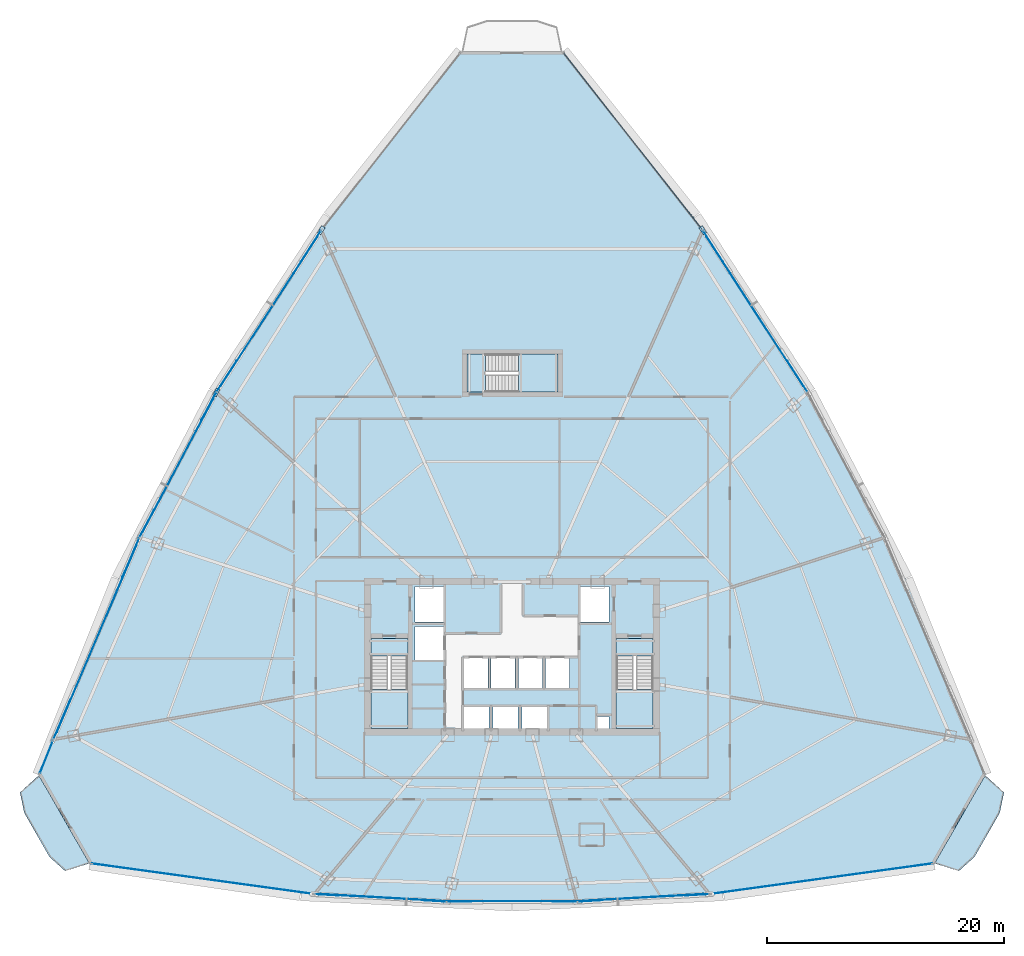
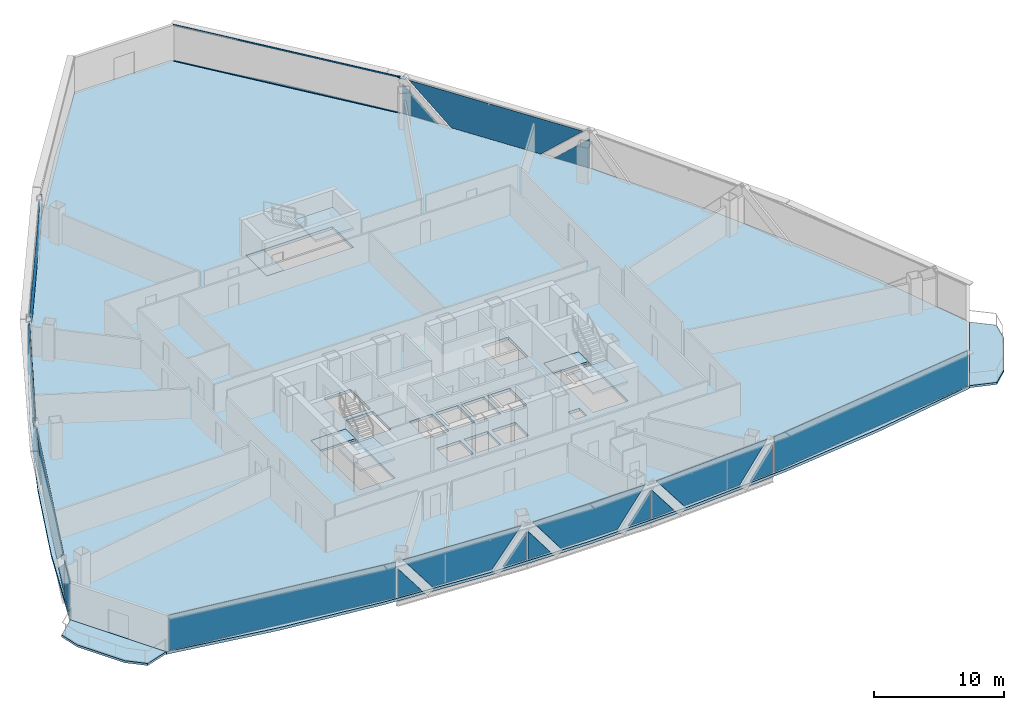
# One storey, part 30 of 39: 27 plates, 9 slabs, 2 members, 14 elements without a shape of their own.
"""IFC4 building model written with IfcOpenShell, lengths in metres."""

from ifc_helpers import new_model, si_unit, direction, frame, origin, origin_2d, place, context, subcontext, project, spatial, polyline, rectangle, hollow_rectangle, outline, extrude, source, transform, mapped, material, layer, layer_set, material_profile, profile_set, type_object, element, aggregate, save


model = new_model("IFC4")

# Units and contexts
model_context = context("Model", 3, precision=1e-05, world=origin(), true_north=direction((0.0, 1.0)))
body_context = subcontext(model_context, "Body", "Model", "MODEL_VIEW")
ifc_project = project(units=[si_unit("LENGTHUNIT", "METRE"), si_unit("AREAUNIT", "SQUARE_METRE"), si_unit("VOLUMEUNIT", "CUBIC_METRE"), si_unit("PLANEANGLEUNIT", "RADIAN"), si_unit("MASSUNIT", "GRAM", prefix="KILO"), si_unit("THERMODYNAMICTEMPERATUREUNIT", "KELVIN"), si_unit("POWERUNIT", "WATT")], contexts=[model_context])

# Site, building, storey
site_placement = place(None, origin())
site = spatial("IfcSite", under=ifc_project, at=site_placement, CompositionType="ELEMENT")
building_placement = place(site_placement, origin())
building = spatial("IfcBuilding", under=site, at=building_placement, Name="Yunzhuo Pagoda Commons", CompositionType="ELEMENT")
storey_placement = place(building_placement, frame((0.0, 0.0, 140.8701171875)))
storey = spatial("IfcBuildingStorey", under=building, at=storey_placement, Name="L35", CompositionType="ELEMENT", Elevation=140.8701171875)

# Curtain wall, members
ifc_material_1 = material(Name="Anodized aluminium 6063-T6", Category="aluminium")
ifc_layer_1 = layer(ifc_material_1, 0.14990234375)
ifc_layer_set_1 = layer_set([ifc_layer_1], Name="Anodized aluminium 6063-T6")
curtain_wall_type = type_object("IfcCurtainWallType", Name="CW-MID Mid-Zone Ribbon Curtain Wall", PredefinedType="NOTDEFINED", material=ifc_layer_set_1)
curtain_wall_1_placement = place(storey_placement, origin())
curtain_wall_1 = element("IfcCurtainWall", 1, at=curtain_wall_1_placement, inside=storey, type_object=curtain_wall_type, Name="L35 curtain wall CW-L35-F2B5", PredefinedType="NOTDEFINED")
ifc_material_profile = material_profile(ifc_material_1, hollow_rectangle(XDim=0.054931640625, YDim=0.1298828125, WallThickness=0.00341796875, at=origin_2d()), Name="Anodized aluminium 6063-T6")
ifc_profile_set = profile_set([ifc_material_profile], Name="Anodized aluminium 6063-T6")
member_type = type_object("IfcMemberType", Name="CW-MID-T Transom RHS 130x55x3.5", PredefinedType="USERDEFINED", material=ifc_profile_set)
shared_shape_1 = source(origin(), body_context, "Body", "SweptSolid", [
    extrude(hollow_rectangle(XDim=0.054931640625, YDim=0.1298828125, WallThickness=0.00341796875, at=origin_2d()), origin(), (0.0, 0.0, 1.0), 18.82861328125),
])
member_1_placement = place(storey_placement, frame((64.017578125, 69.96923828125, 0.02734375), z_axis=(-0.617384524017, 0.786661521561, 0.0), x_axis=(-0.786661521561, -0.617384524017, 0.0)))
member_1 = element("IfcMember", 2, at=member_1_placement, type_object=member_type, Name="CW transom 1.1", ObjectType="TRANSOM", PredefinedType="USERDEFINED", context=body_context, shape_type="MappedRepresentation", body=[
    mapped(shared_shape_1, transform((0.0, 0.0, 0.0), scale=1.0)),
])
member_2_placement = place(storey_placement, frame((64.017578125, 69.96923828125, 3.392333984375), z_axis=(-0.617384524017, 0.786661521561, 0.0), x_axis=(-0.786661521561, -0.617384524017, 0.0)))
member_2 = element("IfcMember", 3, at=member_2_placement, type_object=member_type, Name="CW transom 1.2", ObjectType="TRANSOM", PredefinedType="USERDEFINED", context=body_context, shape_type="MappedRepresentation", body=[
    mapped(shared_shape_1, transform((0.0, 0.0, 0.0), scale=1.0)),
])
aggregate(curtain_wall_1, [member_1, member_2])

# Curtain wall, plates
curtain_wall_2_placement = place(storey_placement, origin())
curtain_wall_2 = element("IfcCurtainWall", 4, at=curtain_wall_2_placement, inside=storey, type_object=curtain_wall_type, Name="L35 curtain wall CW-L35-F1B2", PredefinedType="NOTDEFINED")
ifc_material_2 = material(Name="Tempered low-e double glazing", Category="glass")
ifc_layer_2 = layer(ifc_material_2, 0.028076171875)
ifc_layer_set_2 = layer_set([ifc_layer_2], Name="Tempered low-e double glazing")
plate_type_1 = type_object("IfcPlateType", Name="CW-MID-P Low-E Double Glazing 28", PredefinedType="CURTAIN_PANEL", material=ifc_layer_set_2)
plate_1_placement = place(storey_placement, frame((32.385498046875, 13.76806640625, 1.38427734375), z_axis=(-0.056597401536, -0.998397082397, 0.0), x_axis=(0.998397082397, -0.056597401536, 0.0)))
plate_1 = element("IfcPlate", 5, at=plate_1_placement, type_object=plate_type_1, Name="CW panel 1.1 lite 1", PredefinedType="CURTAIN_PANEL", context=body_context, shape_type="SweptSolid", body=[
    extrude(outline(polyline([(-1.011962890625, -1.329345703125), (1.011962890625, -1.329345703125), (-1.011962890625, 1.329345703125), (-1.011962890625, -1.329345703125)])), origin(), (0.0, 0.0, 1.0), 0.028076171875),
])
plate_2_placement = place(storey_placement, frame((36.91064453125, 13.541748046875, 1.7099609375), z_axis=(-0.056597401536, -0.998397082397, 0.0), x_axis=(0.998397082397, -0.056597401536, 0.0)))
plate_2 = element("IfcPlate", 6, at=plate_2_placement, type_object=plate_type_1, Name="CW panel 1.1 lite 2", PredefinedType="CURTAIN_PANEL", context=body_context, shape_type="SweptSolid", body=[
    extrude(outline(polyline([(-5.083251953125, 1.655029296875), (-2.563720703125, -1.655029296875), (2.563720703125, -1.655029296875), (5.083251953125, 1.655029296875), (-5.083251953125, 1.655029296875)])), origin(), (0.0, 0.0, 1.0), 0.028076171875),
])
plate_3_placement = place(storey_placement, frame((41.432373046875, 13.25537109375, 1.38427734375), z_axis=(-0.056597401536, -0.998397082397, 0.0), x_axis=(0.998397082397, -0.056597401536, 0.0)))
plate_3 = element("IfcPlate", 7, at=plate_3_placement, type_object=plate_type_1, Name="CW panel 1.1 lite 3", PredefinedType="CURTAIN_PANEL", context=body_context, shape_type="SweptSolid", body=[
    extrude(outline(polyline([(-1.011962890625, -1.329345703125), (1.011962890625, -1.329345703125), (1.011962890625, 1.329345703125), (-1.011962890625, -1.329345703125)])), origin(), (0.0, 0.0, 1.0), 0.028076171875),
])
aggregate(curtain_wall_2, [plate_1, plate_2, plate_3])

curtain_wall_3_placement = place(storey_placement, origin())
curtain_wall_3 = element("IfcCurtainWall", 8, at=curtain_wall_3_placement, inside=storey, type_object=curtain_wall_type, Name="L35 curtain wall CW-L35-F1B3", PredefinedType="NOTDEFINED")
plate_4_placement = place(storey_placement, frame((43.5517578125, 13.19482421875, 1.3798828125), z_axis=(0.0, -1.0, 0.0), x_axis=(1.0, 0.0, 0.0)))
plate_4 = element("IfcPlate", 9, at=plate_4_placement, type_object=plate_type_1, Name="CW panel 1.1 lite 1", PredefinedType="CURTAIN_PANEL", context=body_context, shape_type="SweptSolid", body=[
    extrude(outline(polyline([(-0.98974609375, -1.32470703125), (0.98974609375, -1.32470703125), (-0.98974609375, 1.32470703125), (-0.98974609375, -1.32470703125)])), origin(), (0.0, 0.0, 1.0), 0.028076171875),
])
plate_5_placement = place(storey_placement, frame((48.0, 13.224609375, 1.7099609375), z_axis=(0.0, -1.0, 0.0), x_axis=(1.0, 0.0, 0.0)))
plate_5 = element("IfcPlate", 10, at=plate_5_placement, type_object=plate_type_1, Name="CW panel 1.1 lite 2", PredefinedType="CURTAIN_PANEL", context=body_context, shape_type="SweptSolid", body=[
    extrude(outline(polyline([(-4.982666015625, 1.655029296875), (-2.510009765625, -1.655029296875), (2.510009765625, -1.655029296875), (4.982666015625, 1.655029296875), (-4.982666015625, 1.655029296875)])), origin(), (0.0, 0.0, 1.0), 0.028076171875),
])
plate_6_placement = place(storey_placement, frame((52.4482421875, 13.19482421875, 1.3798828125), z_axis=(0.0, -1.0, 0.0), x_axis=(1.0, 0.0, 0.0)))
plate_6 = element("IfcPlate", 11, at=plate_6_placement, type_object=plate_type_1, Name="CW panel 1.1 lite 3", PredefinedType="CURTAIN_PANEL", context=body_context, shape_type="SweptSolid", body=[
    extrude(outline(polyline([(-0.98974609375, -1.32470703125), (0.98974609375, -1.32470703125), (0.98974609375, 1.32470703125), (-0.98974609375, -1.32470703125)])), origin(), (0.0, 0.0, 1.0), 0.028076171875),
])
aggregate(curtain_wall_3, [plate_4, plate_5, plate_6])

curtain_wall_4_placement = place(storey_placement, origin())
curtain_wall_4 = element("IfcCurtainWall", 12, at=curtain_wall_4_placement, inside=storey, type_object=curtain_wall_type, Name="L35 curtain wall CW-L35-F1B4", PredefinedType="NOTDEFINED")
plate_7_placement = place(storey_placement, frame((54.567626953125, 13.25537109375, 1.38427734375), z_axis=(0.056597401536, -0.998397082397, 0.0), x_axis=(0.998397082397, 0.056597401536, 0.0)))
plate_7 = element("IfcPlate", 13, at=plate_7_placement, type_object=plate_type_1, Name="CW panel 1.1 lite 1", PredefinedType="CURTAIN_PANEL", context=body_context, shape_type="SweptSolid", body=[
    extrude(outline(polyline([(-1.011962890625, -1.329345703125), (1.011962890625, -1.329345703125), (-1.011962890625, 1.329345703125), (-1.011962890625, -1.329345703125)])), origin(), (0.0, 0.0, 1.0), 0.028076171875),
])
plate_8_placement = place(storey_placement, frame((59.08935546875, 13.541748046875, 1.7099609375), z_axis=(0.056597401536, -0.998397082397, 0.0), x_axis=(0.998397082397, 0.056597401536, 0.0)))
plate_8 = element("IfcPlate", 14, at=plate_8_placement, type_object=plate_type_1, Name="CW panel 1.1 lite 2", PredefinedType="CURTAIN_PANEL", context=body_context, shape_type="SweptSolid", body=[
    extrude(outline(polyline([(-5.083251953125, 1.655029296875), (-2.563720703125, -1.655029296875), (2.563720703125, -1.655029296875), (5.083251953125, 1.655029296875), (-5.083251953125, 1.655029296875)])), origin(), (0.0, 0.0, 1.0), 0.028076171875),
])
plate_9_placement = place(storey_placement, frame((63.614501953125, 13.76806640625, 1.38427734375), z_axis=(0.056597401536, -0.998397082397, 0.0), x_axis=(0.998397082397, 0.056597401536, 0.0)))
plate_9 = element("IfcPlate", 15, at=plate_9_placement, type_object=plate_type_1, Name="CW panel 1.1 lite 3", PredefinedType="CURTAIN_PANEL", context=body_context, shape_type="SweptSolid", body=[
    extrude(outline(polyline([(-1.011962890625, -1.329345703125), (1.011962890625, -1.329345703125), (1.011962890625, 1.329345703125), (-1.011962890625, -1.329345703125)])), origin(), (0.0, 0.0, 1.0), 0.028076171875),
])
aggregate(curtain_wall_4, [plate_7, plate_8, plate_9])

curtain_wall_5_placement = place(storey_placement, origin())
curtain_wall_5 = element("IfcCurtainWall", 16, at=curtain_wall_5_placement, inside=storey, type_object=curtain_wall_type, Name="L35 curtain wall CW-L35-F2B4", PredefinedType="NOTDEFINED")
plate_10_placement = place(storey_placement, frame((72.07763671875, 57.522216796875, 1.454345703125), z_axis=(0.839320281383, 0.543637255216, 0.0), x_axis=(-0.543637255216, 0.839320281383, 0.0)))
plate_10 = element("IfcPlate", 17, at=plate_10_placement, type_object=plate_type_1, Name="CW panel 1.1 lite 1", PredefinedType="CURTAIN_PANEL", context=body_context, shape_type="SweptSolid", body=[
    extrude(outline(polyline([(-1.550048828125, -1.3994140625), (1.550048828125, -1.3994140625), (-1.550048828125, 1.3994140625), (-1.550048828125, -1.3994140625)])), origin(), (0.0, 0.0, 1.0), 0.028076171875),
])
plate_11_placement = place(storey_placement, frame((68.495849609375, 62.996826171875, 1.7099609375), z_axis=(0.839320281383, 0.543637255216, 0.0), x_axis=(-0.543637255216, 0.839320281383, 0.0)))
plate_11 = element("IfcPlate", 18, at=plate_11_placement, type_object=plate_type_1, Name="CW panel 1.1 lite 2", PredefinedType="CURTAIN_PANEL", context=body_context, shape_type="SweptSolid", body=[
    extrude(outline(polyline([(-7.5244140625, 1.655029296875), (-3.85791015625, -1.655029296875), (3.85791015625, -1.655029296875), (7.5244140625, 1.655029296875), (-7.5244140625, 1.655029296875)])), origin(), (0.0, 0.0, 1.0), 0.028076171875),
])
plate_12_placement = place(storey_placement, frame((64.964599609375, 68.504150390625, 1.454345703125), z_axis=(0.839320281383, 0.543637255216, 0.0), x_axis=(-0.543637255216, 0.839320281383, 0.0)))
plate_12 = element("IfcPlate", 19, at=plate_12_placement, type_object=plate_type_1, Name="CW panel 1.1 lite 3", PredefinedType="CURTAIN_PANEL", context=body_context, shape_type="SweptSolid", body=[
    extrude(outline(polyline([(-1.550048828125, -1.3994140625), (1.550048828125, -1.3994140625), (1.550048828125, 1.3994140625), (-1.550048828125, -1.3994140625)])), origin(), (0.0, 0.0, 1.0), 0.028076171875),
])
aggregate(curtain_wall_5, [plate_10, plate_11, plate_12])

curtain_wall_6_placement = place(storey_placement, origin())
curtain_wall_6 = element("IfcCurtainWall", 20, at=curtain_wall_6_placement, inside=storey, type_object=curtain_wall_type, Name="L35 curtain wall CW-L35-F3B2", PredefinedType="NOTDEFINED")
plate_13_placement = place(storey_placement, frame((31.035400390625, 68.504150390625, 1.454345703125), z_axis=(-0.839320281383, 0.543637255216, 0.0), x_axis=(-0.543637255216, -0.839320281383, 0.0)))
plate_13 = element("IfcPlate", 21, at=plate_13_placement, type_object=plate_type_1, Name="CW panel 1.1 lite 1", PredefinedType="CURTAIN_PANEL", context=body_context, shape_type="SweptSolid", body=[
    extrude(outline(polyline([(-1.550048828125, -1.3994140625), (1.550048828125, -1.3994140625), (-1.550048828125, 1.3994140625), (-1.550048828125, -1.3994140625)])), origin(), (0.0, 0.0, 1.0), 0.028076171875),
])
plate_14_placement = place(storey_placement, frame((27.504150390625, 62.996826171875, 1.7099609375), z_axis=(-0.839320281383, 0.543637255216, 0.0), x_axis=(-0.543637255216, -0.839320281383, 0.0)))
plate_14 = element("IfcPlate", 22, at=plate_14_placement, type_object=plate_type_1, Name="CW panel 1.1 lite 2", PredefinedType="CURTAIN_PANEL", context=body_context, shape_type="SweptSolid", body=[
    extrude(outline(polyline([(-7.5244140625, 1.655029296875), (-3.85791015625, -1.655029296875), (3.85791015625, -1.655029296875), (7.5244140625, 1.655029296875), (-7.5244140625, 1.655029296875)])), origin(), (0.0, 0.0, 1.0), 0.028076171875),
])
plate_15_placement = place(storey_placement, frame((23.92236328125, 57.522216796875, 1.454345703125), z_axis=(-0.839320281383, 0.543637255216, 0.0), x_axis=(-0.543637255216, -0.839320281383, 0.0)))
plate_15 = element("IfcPlate", 23, at=plate_15_placement, type_object=plate_type_1, Name="CW panel 1.1 lite 3", PredefinedType="CURTAIN_PANEL", context=body_context, shape_type="SweptSolid", body=[
    extrude(outline(polyline([(-1.550048828125, -1.3994140625), (1.550048828125, -1.3994140625), (1.550048828125, 1.3994140625), (-1.550048828125, -1.3994140625)])), origin(), (0.0, 0.0, 1.0), 0.028076171875),
])
aggregate(curtain_wall_6, [plate_13, plate_14, plate_15])

curtain_wall_7_placement = place(storey_placement, origin())
curtain_wall_7 = element("IfcCurtainWall", 24, at=curtain_wall_7_placement, inside=storey, type_object=curtain_wall_type, Name="L35 curtain wall CW-L35-F3B3", PredefinedType="NOTDEFINED")
plate_16_placement = place(storey_placement, frame((22.414306640625, 54.974853515625, 1.428466796875), z_axis=(-0.883879096849, 0.467715449984, 0.0), x_axis=(-0.467715449984, -0.883879096849, 0.0)))
plate_16 = element("IfcPlate", 25, at=plate_16_placement, type_object=plate_type_1, Name="CW panel 1.1 lite 1", PredefinedType="CURTAIN_PANEL", context=body_context, shape_type="SweptSolid", body=[
    extrude(outline(polyline([(-1.294189453125, -1.37353515625), (1.294189453125, -1.37353515625), (-1.294189453125, 1.37353515625), (-1.294189453125, -1.37353515625)])), origin(), (0.0, 0.0, 1.0), 0.028076171875),
])
plate_17_placement = place(storey_placement, frame((19.830810546875, 50.0283203125, 1.7099609375), z_axis=(-0.883879096849, 0.467715449984, 0.0), x_axis=(-0.467715449984, -0.883879096849, 0.0)))
plate_17 = element("IfcPlate", 26, at=plate_17_placement, type_object=plate_type_1, Name="CW panel 1.1 lite 2", PredefinedType="CURTAIN_PANEL", context=body_context, shape_type="SweptSolid", body=[
    extrude(outline(polyline([(-6.36083984375, 1.655029296875), (-3.2421875, -1.655029296875), (3.2421875, -1.655029296875), (6.36083984375, 1.655029296875), (-6.36083984375, 1.655029296875)])), origin(), (0.0, 0.0, 1.0), 0.028076171875),
])
plate_18_placement = place(storey_placement, frame((17.194091796875, 45.109619140625, 1.428466796875), z_axis=(-0.883879096849, 0.467715449984, 0.0), x_axis=(-0.467715449984, -0.883879096849, 0.0)))
plate_18 = element("IfcPlate", 27, at=plate_18_placement, type_object=plate_type_1, Name="CW panel 1.1 lite 3", PredefinedType="CURTAIN_PANEL", context=body_context, shape_type="SweptSolid", body=[
    extrude(outline(polyline([(-1.294189453125, -1.37353515625), (1.294189453125, -1.37353515625), (1.294189453125, 1.37353515625), (-1.294189453125, -1.37353515625)])), origin(), (0.0, 0.0, 1.0), 0.028076171875),
])
aggregate(curtain_wall_7, [plate_16, plate_17, plate_18])

curtain_wall_8_placement = place(storey_placement, origin())
curtain_wall_8 = element("IfcCurtainWall", 28, at=curtain_wall_8_placement, inside=storey, type_object=curtain_wall_type, Name="L35 curtain wall CW-L35-F3B4", PredefinedType="NOTDEFINED")
plate_19_placement = place(storey_placement, frame((15.839599609375, 42.218994140625, 1.470947265625), z_axis=(-0.920072228059, 0.391748765351, 0.0), x_axis=(-0.391748765351, -0.920072228059, 0.0)))
plate_19 = element("IfcPlate", 29, at=plate_19_placement, type_object=plate_type_1, Name="CW panel 1.1 lite 1", PredefinedType="CURTAIN_PANEL", context=body_context, shape_type="SweptSolid", body=[
    extrude(outline(polyline([(-1.781982421875, -1.416015625), (1.781982421875, -1.416015625), (-1.781982421875, 1.416015625), (-1.781982421875, -1.416015625)])), origin(), (0.0, 0.0, 1.0), 0.028076171875),
])
plate_20_placement = place(storey_placement, frame((12.960205078125, 35.379638671875, 1.7099609375), z_axis=(-0.920072228059, 0.391748765351, 0.0), x_axis=(-0.391748765351, -0.920072228059, 0.0)))
plate_20 = element("IfcPlate", 30, at=plate_20_placement, type_object=plate_type_1, Name="CW panel 1.1 lite 2", PredefinedType="CURTAIN_PANEL", context=body_context, shape_type="SweptSolid", body=[
    extrude(outline(polyline([(-8.58251953125, 1.655029296875), (-4.4169921875, -1.655029296875), (4.4169921875, -1.655029296875), (8.58251953125, 1.655029296875), (-8.58251953125, 1.655029296875)])), origin(), (0.0, 0.0, 1.0), 0.028076171875),
])
plate_21_placement = place(storey_placement, frame((10.025634765625, 28.563720703125, 1.470947265625), z_axis=(-0.920072228059, 0.391748765351, 0.0), x_axis=(-0.391748765351, -0.920072228059, 0.0)))
plate_21 = element("IfcPlate", 31, at=plate_21_placement, type_object=plate_type_1, Name="CW panel 1.1 lite 3", PredefinedType="CURTAIN_PANEL", context=body_context, shape_type="SweptSolid", body=[
    extrude(outline(polyline([(-1.781982421875, -1.416015625), (1.781982421875, -1.416015625), (1.781982421875, 1.416015625), (-1.781982421875, -1.416015625)])), origin(), (0.0, 0.0, 1.0), 0.028076171875),
])
aggregate(curtain_wall_8, [plate_19, plate_20, plate_21])

# Slabs
ifc_material_3 = material(Name="Concrete C40", Category="concrete")
ifc_layer_3 = layer(ifc_material_3, 0.199951171875)
ifc_layer_set_3 = layer_set([ifc_layer_3], Name="Concrete C40")
slab_type_1 = type_object("IfcSlabType", Name="SL-BAL Vertex Balcony Deck Slab 200", PredefinedType="FLOOR", material=ifc_layer_set_3)
slab_1_placement = place(storey_placement, frame((0.0, 0.0, -0.2001953125)))
element("IfcSlab", 32, at=slab_1_placement, inside=storey, type_object=slab_type_1, Name="L35 corner balcony V1", PredefinedType="FLOOR", context=body_context, shape_type="SweptSolid", body=[
    extrude(outline(polyline([(8.0595703125, 23.840576171875), (12.320556640625, 16.419189453125), (10.279541015625, 15.766357421875), (8.96142578125, 16.95751953125), (6.830810546875, 20.668212890625), (6.466796875, 22.406982421875), (8.0595703125, 23.840576171875)])), origin(), (0.0, 0.0, 1.0), 0.2001953125),
])
slab_2_placement = place(storey_placement, frame((0.0, 0.0, -0.2001953125)))
element("IfcSlab", 33, at=slab_2_placement, inside=storey, type_object=slab_type_1, Name="L35 corner balcony V2", PredefinedType="FLOOR", context=body_context, shape_type="SweptSolid", body=[
    extrude(outline(polyline([(83.679443359375, 16.419189453125), (87.9404296875, 23.840576171875), (89.533203125, 22.406982421875), (89.169189453125, 20.668212890625), (87.03857421875, 16.95751953125), (85.720458984375, 15.766357421875), (83.679443359375, 16.419189453125)])), origin(), (0.0, 0.0, 1.0), 0.2001953125),
])

# Stair, slabs
stair_type_1 = type_object("IfcStairType", Name="ST-C1 Core Smokeproof Stair ST1", PredefinedType="HALF_TURN_STAIR", material=ifc_material_3)
stair_1_placement = place(storey_placement, origin())
stair_1 = element("IfcStair", 34, at=stair_1_placement, inside=storey, type_object=stair_type_1, Name="L35 Core smokeproof stair ST1", PredefinedType="HALF_TURN_STAIR")
ifc_layer_4 = layer(ifc_material_3, 0.199951171875)
ifc_layer_set_4 = layer_set([ifc_layer_4], Name="Concrete C40")
slab_type_2 = type_object("IfcSlabType", Name="SL-LND1 Stair Landing Slab 200", PredefinedType="LANDING", material=ifc_layer_set_4)
slab_3_placement = place(storey_placement, frame((0.0, 0.0, 1.639892578125)))
slab_3 = element("IfcSlab", 35, at=slab_3_placement, type_object=slab_type_2, Name="ST1 landing 1", PredefinedType="LANDING", context=body_context, shape_type="SweptSolid", body=[
    extrude(outline(polyline([(36.10009765625, 31.10009765625), (36.10009765625, 27.800048828125), (39.199951171875, 27.800048828125), (39.199951171875, 31.10009765625), (36.10009765625, 31.10009765625)])), origin(), (0.0, 0.0, 1.0), 0.199951171875),
])
slab_4_placement = place(storey_placement, frame((0.0, 0.0, -0.2001953125)))
slab_4 = element("IfcSlab", 36, at=slab_4_placement, type_object=slab_type_2, Name="ST1 floor landing L35", PredefinedType="LANDING", context=body_context, shape_type="SweptSolid", body=[
    extrude(outline(polyline([(36.10009765625, 35.39990234375), (36.10009765625, 33.89990234375), (39.199951171875, 33.89990234375), (39.199951171875, 35.39990234375), (36.10009765625, 35.39990234375)])), origin(), (0.0, 0.0, 1.0), 0.2001953125),
])
aggregate(stair_1, [slab_3, slab_4])

stair_type_2 = type_object("IfcStairType", Name="ST-C2 Core Smokeproof Stair ST2", PredefinedType="HALF_TURN_STAIR", material=ifc_material_3)
stair_2_placement = place(storey_placement, origin())
stair_2 = element("IfcStair", 37, at=stair_2_placement, inside=storey, type_object=stair_type_2, Name="L35 Core smokeproof stair ST2", PredefinedType="HALF_TURN_STAIR")
ifc_layer_5 = layer(ifc_material_3, 0.201904296875)
ifc_layer_set_5 = layer_set([ifc_layer_5], Name="Concrete C40")
slab_type_3 = type_object("IfcSlabType", Name="SL-LND2 Stair Landing Slab 202", PredefinedType="LANDING", material=ifc_layer_set_5)
slab_5_placement = place(storey_placement, frame((0.0, 0.0, 1.639892578125)))
slab_5 = element("IfcSlab", 38, at=slab_5_placement, type_object=slab_type_3, Name="ST2 landing 1", PredefinedType="LANDING", context=body_context, shape_type="SweptSolid", body=[
    extrude(outline(polyline([(56.800048828125, 31.10009765625), (56.800048828125, 27.800048828125), (59.89990234375, 27.800048828125), (59.89990234375, 31.10009765625), (56.800048828125, 31.10009765625)])), origin(), (0.0, 0.0, 1.0), 0.199951171875),
])
slab_6_placement = place(storey_placement, frame((0.0, 0.0, -0.2001953125)))
slab_6 = element("IfcSlab", 39, at=slab_6_placement, type_object=slab_type_3, Name="ST2 floor landing L35", PredefinedType="LANDING", context=body_context, shape_type="SweptSolid", body=[
    extrude(outline(polyline([(56.800048828125, 35.39990234375), (56.800048828125, 33.89990234375), (59.89990234375, 33.89990234375), (59.89990234375, 35.39990234375), (56.800048828125, 35.39990234375)])), origin(), (0.0, 0.0, 1.0), 0.2001953125),
])
aggregate(stair_2, [slab_5, slab_6])

stair_type_3 = type_object("IfcStairType", Name="ST-C3 North Tower Smokeproof Stair ST3", PredefinedType="HALF_TURN_STAIR", material=ifc_material_3)
stair_3_placement = place(storey_placement, origin())
stair_3 = element("IfcStair", 40, at=stair_3_placement, inside=storey, type_object=stair_type_3, Name="L35 North tower smokeproof stair ST3", PredefinedType="HALF_TURN_STAIR")
ifc_layer_6 = layer(ifc_material_3, 0.2041015625)
ifc_layer_set_6 = layer_set([ifc_layer_6], Name="Concrete C40")
slab_type_4 = type_object("IfcSlabType", Name="SL-LND5 North Landing Slab 204", PredefinedType="LANDING", material=ifc_layer_set_6)
slab_7_placement = place(storey_placement, frame((0.0, 0.0, 1.639892578125)))
slab_7 = element("IfcSlab", 41, at=slab_7_placement, type_object=slab_type_4, Name="ST3 landing 1", PredefinedType="LANDING", context=body_context, shape_type="SweptSolid", body=[
    extrude(outline(polyline([(48.550048828125, 56.199951171875), (51.89990234375, 56.199951171875), (51.89990234375, 59.39990234375), (48.550048828125, 59.39990234375), (48.550048828125, 56.199951171875)])), origin(), (0.0, 0.0, 1.0), 0.199951171875),
])
slab_8_placement = place(storey_placement, frame((0.0, 0.0, -0.2001953125)))
slab_8 = element("IfcSlab", 42, at=slab_8_placement, type_object=slab_type_4, Name="ST3 floor landing L35", PredefinedType="LANDING", context=body_context, shape_type="SweptSolid", body=[
    extrude(outline(polyline([(44.199951171875, 56.199951171875), (45.75, 56.199951171875), (45.75, 59.39990234375), (44.199951171875, 59.39990234375), (44.199951171875, 56.199951171875)])), origin(), (0.0, 0.0, 1.0), 0.2001953125),
])
aggregate(stair_3, [slab_7, slab_8])

# Slab
ifc_layer_7 = layer(ifc_material_3, 0.260009765625)
ifc_layer_set_7 = layer_set([ifc_layer_7], Name="Concrete C40")
slab_type_5 = type_object("IfcSlabType", Name="SL-TWR Typical Tower Floor Slab 260", PredefinedType="FLOOR", material=ifc_layer_set_7)
slab_9_placement = place(storey_placement, frame((0.0, 0.0, -0.260009765625)))
element("IfcSlab", 43, at=slab_9_placement, inside=storey, type_object=slab_type_5, Name="L35 structural floor slab", PredefinedType="FLOOR", context=body_context, shape_type="SweptSolid", body=[
    extrude(outline(polyline([(11.211181640625, 32.248291015625), (14.733642578125, 40.4345703125), (18.630859375, 48.402099609375), (22.90283203125, 56.15087890625), (27.549560546875, 63.680908203125), (32.5712890625, 70.9921875), (37.9677734375, 78.084716796875), (43.739013671875, 84.958251953125), (52.260986328125, 84.958251953125), (58.0322265625, 78.084716796875), (63.4287109375, 70.9921875), (68.450439453125, 63.680908203125), (73.09716796875, 56.15087890625), (77.369140625, 48.402099609375), (81.266357421875, 40.4345703125), (84.788818359375, 32.248291015625), (87.936279296875, 23.843017578125), (83.67529296875, 16.421630859375), (74.75634765625, 14.902587890625), (65.837646484375, 13.817626953125), (56.918701171875, 13.166748046875), (48.0, 12.94970703125), (39.081298828125, 13.166748046875), (30.162353515625, 13.817626953125), (21.24365234375, 14.902587890625), (12.32470703125, 16.421630859375), (8.063720703125, 23.843017578125), (11.211181640625, 32.248291015625)]), holes=[polyline([(46.050048828125, 29.64990234375), (43.949951171875, 29.64990234375), (43.949951171875, 27.60009765625), (46.050048828125, 27.60009765625), (46.050048828125, 29.64990234375)]), polyline([(48.5, 27.60009765625), (48.5, 29.64990234375), (46.39990234375, 29.64990234375), (46.39990234375, 27.60009765625), (48.5, 27.60009765625)]), polyline([(36.10009765625, 27.800048828125), (39.199951171875, 27.800048828125), (39.199951171875, 35.39990234375), (36.10009765625, 35.39990234375), (36.10009765625, 27.800048828125)]), polyline([(45.969970703125, 31.199951171875), (45.969970703125, 33.800048828125), (43.929931640625, 33.800048828125), (43.929931640625, 31.199951171875), (45.969970703125, 31.199951171875)]), polyline([(48.27001953125, 31.199951171875), (48.27001953125, 33.800048828125), (46.22998046875, 33.800048828125), (46.22998046875, 31.199951171875), (48.27001953125, 31.199951171875)]), polyline([(42.199951171875, 33.60009765625), (42.199951171875, 36.39990234375), (39.800048828125, 36.39990234375), (39.800048828125, 33.60009765625), (42.199951171875, 33.60009765625)]), polyline([(42.199951171875, 36.800048828125), (42.199951171875, 39.800048828125), (39.800048828125, 39.800048828125), (39.800048828125, 36.800048828125), (42.199951171875, 36.800048828125)]), polyline([(56.179931640625, 28.800048828125), (55.179931640625, 28.800048828125), (55.179931640625, 27.699951171875), (56.179931640625, 27.699951171875), (56.179931640625, 28.800048828125)]), polyline([(50.949951171875, 27.60009765625), (50.949951171875, 29.64990234375), (48.85009765625, 29.64990234375), (48.85009765625, 27.60009765625), (50.949951171875, 27.60009765625)]), polyline([(56.800048828125, 27.800048828125), (59.89990234375, 27.800048828125), (59.89990234375, 35.39990234375), (56.800048828125, 35.39990234375), (56.800048828125, 27.800048828125)]), polyline([(50.570068359375, 31.199951171875), (50.570068359375, 33.800048828125), (48.530029296875, 33.800048828125), (48.530029296875, 31.199951171875), (50.570068359375, 31.199951171875)]), polyline([(52.8701171875, 31.199951171875), (52.8701171875, 33.800048828125), (50.830078125, 33.800048828125), (50.830078125, 31.199951171875), (52.8701171875, 31.199951171875)]), polyline([(56.199951171875, 36.800048828125), (56.199951171875, 39.800048828125), (53.800048828125, 39.800048828125), (53.800048828125, 36.800048828125), (56.199951171875, 36.800048828125)]), polyline([(51.89990234375, 56.199951171875), (51.89990234375, 59.39990234375), (44.199951171875, 59.39990234375), (44.199951171875, 56.199951171875), (51.89990234375, 56.199951171875)])]), origin(), (0.0, 0.0, 1.0), 0.260009765625),
])

# Plates
ifc_material_4 = material(Name="Structural steel Q355B", Category="steel")
ifc_layer_8 = layer(ifc_material_4, 0.028076171875)
ifc_layer_set_8 = layer_set([ifc_layer_8], Name="Structural steel Q355B")
plate_type_2 = type_object("IfcPlateType", Name="SP-ND1 Lattice Node Cap Plate 800x500x28", PredefinedType="USERDEFINED", material=ifc_layer_set_8)
shared_shape_2 = source(origin(), body_context, "Body", "SweptSolid", [
    extrude(rectangle(XDim=0.699951171875, YDim=0.35009765625, at=origin_2d()), origin(), (0.0, 0.0, 1.0), 0.035888671875),
])
for number, where, z_axis, x_axis, name in (
    (44, (64.100830078125, 69.863037109375, 3.3818359375), (0.0, 0.0, 1.0), (-0.543643297406, 0.839316367758, 0.0), "L35 setback lattice tie plate F2.3R"),
    (45, (31.899169921875, 69.863037109375, 3.3818359375), (0.0, 0.0, 1.0), (-0.543643297406, -0.839316367758, 0.0), "L35 setback lattice tie plate F3.1L"),
    (46, (23.035400390625, 56.17822265625, 3.3818359375), (0.0, 0.0, 1.0), (-0.467713855613, -0.883879940528, 0.0), "L35 setback lattice tie plate F3.2L"),
):
    element("IfcPlate", number, at=place(storey_placement, frame(where, z_axis=z_axis, x_axis=x_axis)), inside=storey, type_object=plate_type_2, Name=name, ObjectType="STIFFENER_PLATE", PredefinedType="USERDEFINED", context=body_context, shape_type="MappedRepresentation", body=[
        mapped(shared_shape_2, transform((0.0, 0.0, 0.0), scale=1.0)),
    ])

# Curtain wall, plate
curtain_wall_9_placement = place(storey_placement, origin())
curtain_wall_9 = element("IfcCurtainWall", 47, at=curtain_wall_9_placement, inside=storey, type_object=curtain_wall_type, Name="L35 curtain wall CW-L35-F1B1", PredefinedType="NOTDEFINED")
shared_shape_3 = source(origin(), body_context, "Body", "SweptSolid", [
    extrude(rectangle(XDim=18.811767578125, YDim=0.028076171875, at=origin_2d()), origin(), (0.0, 0.0, 1.0), 3.31005859375),
])
plate_22_placement = place(storey_placement, frame((21.862548828125, 15.114501953125, 0.054931640625), z_axis=(0.0, 0.0, 1.0), x_axis=(0.990678510165, -0.136220738131, 0.0)))
plate_22 = element("IfcPlate", 48, at=plate_22_placement, type_object=plate_type_1, Name="CW panel 1.1", PredefinedType="CURTAIN_PANEL", context=body_context, shape_type="MappedRepresentation", body=[
    mapped(shared_shape_3, transform((0.0, 0.0, 0.0), scale=1.0)),
])
aggregate(curtain_wall_9, [plate_22])

curtain_wall_10_placement = place(storey_placement, origin())
curtain_wall_10 = element("IfcCurtainWall", 49, at=curtain_wall_10_placement, inside=storey, type_object=curtain_wall_type, Name="L35 curtain wall CW-L35-F1B5", PredefinedType="NOTDEFINED")
plate_23_placement = place(storey_placement, frame((74.137451171875, 15.114501953125, 0.054931640625), z_axis=(0.0, 0.0, 1.0), x_axis=(0.990678510165, 0.136220738131, 0.0)))
plate_23 = element("IfcPlate", 50, at=plate_23_placement, type_object=plate_type_1, Name="CW panel 1.1", PredefinedType="CURTAIN_PANEL", context=body_context, shape_type="MappedRepresentation", body=[
    mapped(shared_shape_3, transform((0.0, 0.0, 0.0), scale=1.0)),
])
aggregate(curtain_wall_10, [plate_23])

curtain_wall_11_placement = place(storey_placement, origin())
curtain_wall_11 = element("IfcCurtainWall", 51, at=curtain_wall_11_placement, inside=storey, type_object=curtain_wall_type, Name="L35 curtain wall CW-L35-F3B5", PredefinedType="NOTDEFINED")
shared_shape_4 = source(origin(), body_context, "Body", "SweptSolid", [
    extrude(rectangle(XDim=2.91455078125, YDim=0.028076171875, at=origin_2d()), origin(), (0.0, 0.0, 1.0), 3.31005859375),
])
plate_24_placement = place(storey_placement, frame((8.696044921875, 25.3974609375, 0.054931640625), z_axis=(0.0, 0.0, 1.0), x_axis=(-0.373616750166, -0.927583162846, 0.0)))
plate_24 = element("IfcPlate", 52, at=plate_24_placement, type_object=plate_type_1, Name="CW panel 1.1", PredefinedType="CURTAIN_PANEL", context=body_context, shape_type="MappedRepresentation", body=[
    mapped(shared_shape_4, transform((0.0, 0.0, 0.0), scale=1.0)),
])
aggregate(curtain_wall_11, [plate_24])

save(model, "model.ifc")
